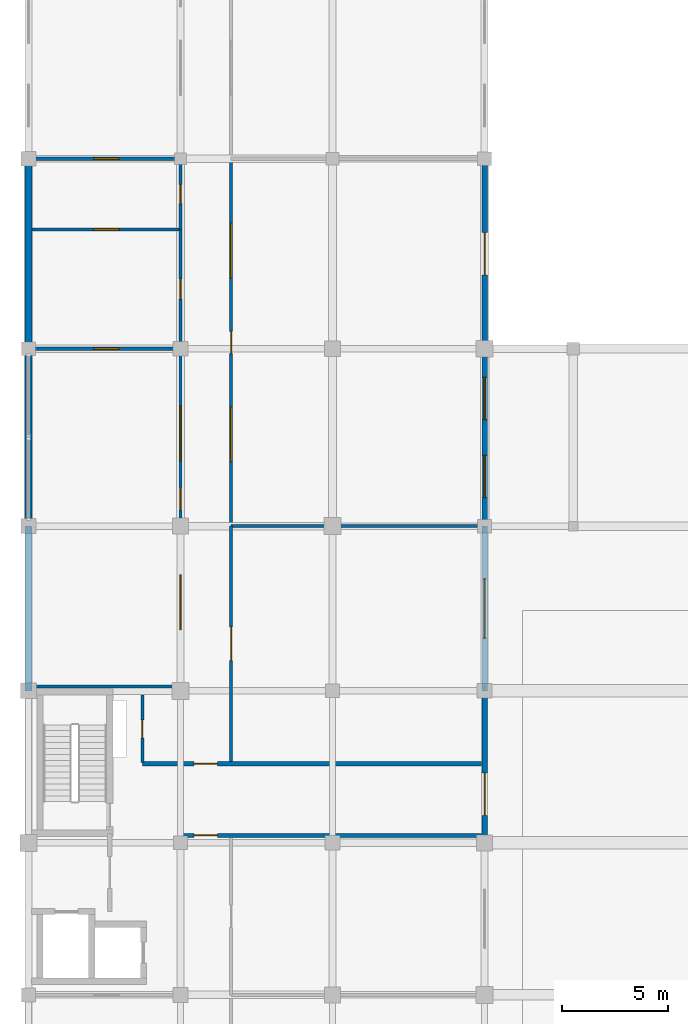
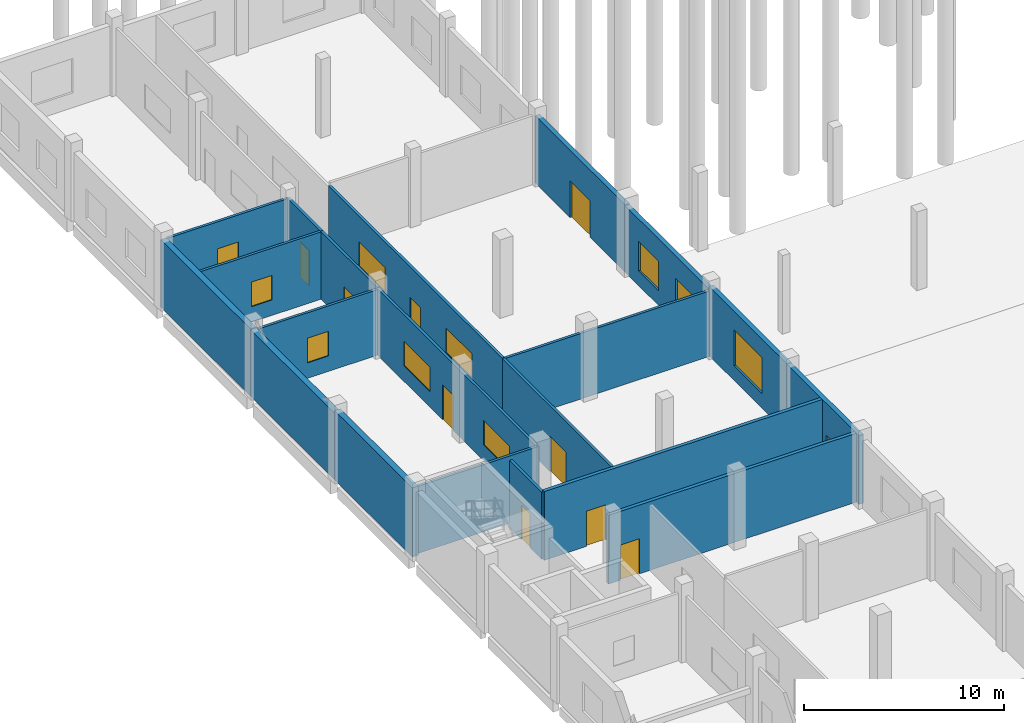
# One storey, part 71 of 91: 20 walls, 10 doors, 10 windows, 20 openings.
"""IFC4 building model written with IfcOpenShell, lengths in metres."""

from ifc_helpers import new_model, si_unit, direction, frame, frame_2d, origin, place, context, subcontext, project, spatial, rectangle, extrude, material, layer, layer_set, type_object, element, fill, save


model = new_model("IFC4")

# Units and contexts
model_context = context("Model", 3, precision=1e-05, world=origin(), true_north=direction((0.0, 1.0)))
body_context = subcontext(model_context, "Body", "Model", "MODEL_VIEW")
ifc_project = project(units=[si_unit("LENGTHUNIT", "METRE"), si_unit("AREAUNIT", "SQUARE_METRE"), si_unit("VOLUMEUNIT", "CUBIC_METRE"), si_unit("PLANEANGLEUNIT", "RADIAN"), si_unit("MASSUNIT", "GRAM", prefix="KILO")], contexts=[model_context])

# Site, building, storey
site_placement = place(None, origin())
site = spatial("IfcSite", under=ifc_project, at=site_placement, CompositionType="ELEMENT")
building_placement = place(site_placement, origin())
building = spatial("IfcBuilding", under=site, at=building_placement, Name="Vinh Khe Railworks Police Headquarters", CompositionType="ELEMENT")
storey_placement = place(building_placement, origin())
storey = spatial("IfcBuildingStorey", under=building, at=storey_placement, Name="L00", CompositionType="ELEMENT", Elevation=0.0)

# Wall, opening, door
ifc_material_1 = material(Name="Clay brickwork", Category="masonry")
ifc_layer_1 = layer(ifc_material_1, 0.260009765625)
ifc_layer_set_1 = layer_set([ifc_layer_1], Name="Clay brickwork")
wall_type_1 = type_object("IfcWallType", Name="EW-BRK-260", PredefinedType="SOLIDWALL", material=ifc_layer_set_1)
wall_1_placement = place(storey_placement, frame((22.199951171875, 81.0, 0.0), z_axis=(0.0, 0.0, 1.0), x_axis=(0.0, 1.0, 0.0)))
wall_1 = element("IfcWall", 1, at=wall_1_placement, inside=storey, type_object=wall_type_1, Name="Exterior Brick Wall EW-L00-V5E-11", PredefinedType="SOLIDWALL", context=body_context, shape_type="SweptSolid", body=[
    extrude(rectangle(XDim=7.199951171875, YDim=0.260009765625, at=frame_2d((3.60009765625, 0.0))), origin(), (0.0, 0.0, 1.0), 4.205078125),
])
opening_1_placement = place(wall_1_placement, frame((1.300048828125, 0.0, 0.0)))
opening_1 = element("IfcOpeningElement", 2, at=opening_1_placement, cuts=wall_1, Name="Opening ED-01", PredefinedType="OPENING", context=body_context, shape_type="SweptSolid", body=[
    extrude(rectangle(XDim=2.0, YDim=2.25, at=frame_2d((1.0, 1.125))), frame((0.0, 0.14501953125, 0.0), z_axis=(0.0, -1.0, 0.0), x_axis=(1.0, 0.0, 0.0)), (0.0, 0.0, 1.0), 0.289794921875),
])
ifc_material_2 = material(Name="Dark anodised aluminium and laminated safety glass", Category="aluminium")
door_type_1 = type_object("IfcDoorType", Name="ED-EXIT-2000", OperationType="DOUBLE_DOOR_SINGLE_SWING", PredefinedType="DOOR", material=ifc_material_2)
door_1_placement = place(opening_1_placement, frame((2.0, 0.0, 0.0), z_axis=(0.0, 0.0, 1.0), x_axis=(-1.0, 0.0, 0.0)))
door_1 = element("IfcDoor", 3, at=door_1_placement, inside=storey, type_object=door_type_1, Name="Core C2 Courtyard Final Exit Door", OperationType="DOUBLE_DOOR_SINGLE_SWING", OverallHeight=2.25, OverallWidth=2.0, PredefinedType="DOOR", context=body_context, shape_type="SweptSolid", body=[
    extrude(rectangle(XDim=2.0, YDim=2.25, at=frame_2d((1.0, 1.125))), frame((0.0, 0.02490234375, 0.0), z_axis=(0.0, -1.0, 0.0), x_axis=(1.0, 0.0, 0.0)), (0.0, 0.0, 1.0), 0.050048828125),
])
fill(opening_1, door_1)

# Wall, opening, window
wall_2_placement = place(storey_placement, frame((22.199951171875, 88.199951171875, 0.0), z_axis=(0.0, 0.0, 1.0), x_axis=(0.0, 1.0, 0.0)))
wall_2 = element("IfcWall", 4, at=wall_2_placement, inside=storey, type_object=wall_type_1, Name="Exterior Brick Wall EW-L00-V5E-12", PredefinedType="SOLIDWALL", context=body_context, shape_type="SweptSolid", body=[
    extrude(rectangle(XDim=7.800048828125, YDim=0.260009765625, at=frame_2d((3.89990234375, 0.0))), origin(), (0.0, 0.0, 1.0), 4.22509765625),
])
opening_2_placement = place(wall_2_placement, frame((2.5, 0.0, 0.89990234375)))
opening_2 = element("IfcOpeningElement", 5, at=opening_2_placement, cuts=wall_2, Name="Opening WN-01", PredefinedType="OPENING", context=body_context, shape_type="SweptSolid", body=[
    extrude(rectangle(XDim=2.800048828125, YDim=2.199951171875, at=frame_2d((1.39990234375, 1.10009765625))), frame((0.0, 0.14501953125, 0.0), z_axis=(0.0, -1.0, 0.0), x_axis=(1.0, 0.0, 0.0)), (0.0, 0.0, 1.0), 0.289794921875),
])
ifc_material_3 = material(Name="Double-glazed solar-control glass in dark steel frame", Category="steel")
window_type_1 = type_object("IfcWindowType", Name="WIN-WN-01", PartitioningType="DOUBLE_PANEL_VERTICAL", PredefinedType="WINDOW", material=ifc_material_3)
window_1_placement = place(opening_2_placement, origin())
window_1 = element("IfcWindow", 6, at=window_1_placement, inside=storey, type_object=window_type_1, Name="Casement Window WN-01", OverallHeight=2.199951171875, OverallWidth=2.800048828125, PartitioningType="SINGLE_PANEL", PredefinedType="WINDOW", context=body_context, shape_type="SweptSolid", body=[
    extrude(rectangle(XDim=2.800048828125, YDim=2.199951171875, at=frame_2d((1.39990234375, 1.10009765625))), frame((0.0, 0.030029296875, 0.0), z_axis=(0.0, -1.0, 0.0), x_axis=(1.0, 0.0, 0.0)), (0.0, 0.0, 1.0), 0.06005859375),
])
fill(opening_2, window_1)

# Wall, openings, windows
wall_3_placement = place(storey_placement, frame((22.199951171875, 96.0, 0.0), z_axis=(0.0, 0.0, 1.0), x_axis=(0.0, 1.0, 0.0)))
wall_3 = element("IfcWall", 7, at=wall_3_placement, inside=storey, type_object=wall_type_1, Name="Exterior Brick Wall EW-L00-V5E-13", PredefinedType="SOLIDWALL", context=body_context, shape_type="SweptSolid", body=[
    extrude(rectangle(XDim=8.39990234375, YDim=0.260009765625, at=frame_2d((4.199951171875, 0.0))), origin(), (0.0, 0.0, 1.0), 4.06494140625),
])
opening_3_placement = place(wall_3_placement, frame((1.35205078125, 0.0, 0.89990234375)))
opening_3 = element("IfcOpeningElement", 8, at=opening_3_placement, cuts=wall_3, Name="Opening WN-04", PredefinedType="OPENING", context=body_context, shape_type="SweptSolid", body=[
    extrude(rectangle(XDim=2.0, YDim=1.800048828125, at=frame_2d((1.0, 0.89990234375))), frame((0.0, 0.14501953125, 0.0), z_axis=(0.0, -1.0, 0.0), x_axis=(1.0, 0.0, 0.0)), (0.0, 0.0, 1.0), 0.289794921875),
])
opening_4_placement = place(wall_3_placement, frame((5.048095703125, 0.0, 0.89990234375)))
opening_4 = element("IfcOpeningElement", 9, at=opening_4_placement, cuts=wall_3, Name="Opening WN-04", PredefinedType="OPENING", context=body_context, shape_type="SweptSolid", body=[
    extrude(rectangle(XDim=2.0, YDim=1.800048828125, at=frame_2d((1.0, 0.89990234375))), frame((0.0, 0.14501953125, 0.0), z_axis=(0.0, -1.0, 0.0), x_axis=(1.0, 0.0, 0.0)), (0.0, 0.0, 1.0), 0.289794921875),
])
window_type_2 = type_object("IfcWindowType", Name="WIN-WN-04", PartitioningType="DOUBLE_PANEL_VERTICAL", PredefinedType="WINDOW", material=ifc_material_3)
window_2_placement = place(opening_3_placement, origin())
window_2 = element("IfcWindow", 10, at=window_2_placement, inside=storey, type_object=window_type_2, Name="Casement Window WN-04", OverallHeight=1.800048828125, OverallWidth=2.0, PartitioningType="SINGLE_PANEL", PredefinedType="WINDOW", context=body_context, shape_type="SweptSolid", body=[
    extrude(rectangle(XDim=2.0, YDim=1.800048828125, at=frame_2d((1.0, 0.89990234375))), frame((0.0, 0.030029296875, 0.0), z_axis=(0.0, -1.0, 0.0), x_axis=(1.0, 0.0, 0.0)), (0.0, 0.0, 1.0), 0.06005859375),
])
fill(opening_3, window_2)
window_3_placement = place(opening_4_placement, origin())
window_3 = element("IfcWindow", 11, at=window_3_placement, inside=storey, type_object=window_type_2, Name="Casement Window WN-04", OverallHeight=1.800048828125, OverallWidth=2.0, PartitioningType="SINGLE_PANEL", PredefinedType="WINDOW", context=body_context, shape_type="SweptSolid", body=[
    extrude(rectangle(XDim=2.0, YDim=1.800048828125, at=frame_2d((1.0, 0.89990234375))), frame((0.0, 0.030029296875, 0.0), z_axis=(0.0, -1.0, 0.0), x_axis=(1.0, 0.0, 0.0)), (0.0, 0.0, 1.0), 0.06005859375),
])
fill(opening_4, window_3)

# Wall, opening, door
wall_4_placement = place(storey_placement, frame((22.199951171875, 104.39990234375, 0.0), z_axis=(0.0, 0.0, 1.0), x_axis=(0.0, 1.0, 0.0)))
wall_4 = element("IfcWall", 12, at=wall_4_placement, inside=storey, type_object=wall_type_1, Name="Exterior Brick Wall EW-L00-V5E-14", PredefinedType="SOLIDWALL", context=body_context, shape_type="SweptSolid", body=[
    extrude(rectangle(XDim=9.0, YDim=0.260009765625, at=frame_2d((4.5, 0.0))), origin(), (0.0, 0.0, 1.0), 4.114990234375),
])
opening_5_placement = place(wall_4_placement, frame((3.5, 0.0, 0.0)))
opening_5 = element("IfcOpeningElement", 13, at=opening_5_placement, cuts=wall_4, Name="Opening ED-01", PredefinedType="OPENING", context=body_context, shape_type="SweptSolid", body=[
    extrude(rectangle(XDim=2.0, YDim=2.25, at=frame_2d((1.0, 1.125))), frame((0.0, 0.14501953125, 0.0), z_axis=(0.0, -1.0, 0.0), x_axis=(1.0, 0.0, 0.0)), (0.0, 0.0, 1.0), 0.289794921875),
])
door_2_placement = place(opening_5_placement, frame((2.0, 0.0, 0.0), z_axis=(0.0, 0.0, 1.0), x_axis=(-1.0, 0.0, 0.0)))
door_2 = element("IfcDoor", 14, at=door_2_placement, inside=storey, type_object=door_type_1, Name="North Operations Court Exit Door", OperationType="DOUBLE_DOOR_SINGLE_SWING", OverallHeight=2.25, OverallWidth=2.0, PredefinedType="DOOR", context=body_context, shape_type="SweptSolid", body=[
    extrude(rectangle(XDim=2.0, YDim=2.25, at=frame_2d((1.0, 1.125))), frame((0.0, 0.02490234375, 0.0), z_axis=(0.0, -1.0, 0.0), x_axis=(1.0, 0.0, 0.0)), (0.0, 0.0, 1.0), 0.050048828125),
])
fill(opening_5, door_2)

# Walls
ifc_layer_2 = layer(ifc_material_1, 0.340087890625)
ifc_layer_set_2 = layer_set([ifc_layer_2], Name="Clay brickwork")
wall_type_2 = type_object("IfcWallType", Name="EW-BRK-340", PredefinedType="SOLIDWALL", material=ifc_layer_set_2)
wall_5_placement = place(storey_placement, frame((0.60009765625, 88.199951171875, 0.0), z_axis=(0.0, 0.0, 1.0), x_axis=(0.0, 1.0, 0.0)))
element("IfcWall", 15, at=wall_5_placement, inside=storey, type_object=wall_type_2, Name="Exterior Brick Wall EW-L00-V5W-12", PredefinedType="SOLIDWALL", context=body_context, shape_type="SweptSolid", body=[
    extrude(rectangle(XDim=7.800048828125, YDim=0.340087890625, at=frame_2d((3.89990234375, 0.0))), origin(), (0.0, 0.0, 1.0), 4.22509765625),
])
wall_6_placement = place(storey_placement, frame((0.60009765625, 96.0, 0.0), z_axis=(0.0, 0.0, 1.0), x_axis=(0.0, 1.0, 0.0)))
element("IfcWall", 16, at=wall_6_placement, inside=storey, type_object=wall_type_2, Name="Exterior Brick Wall EW-L00-V5W-13", PredefinedType="SOLIDWALL", context=body_context, shape_type="SweptSolid", body=[
    extrude(rectangle(XDim=8.39990234375, YDim=0.340087890625, at=frame_2d((4.199951171875, 0.0))), origin(), (0.0, 0.0, 1.0), 4.06494140625),
])
wall_7_placement = place(storey_placement, frame((0.60009765625, 104.39990234375, 0.0), z_axis=(0.0, 0.0, 1.0), x_axis=(0.0, 1.0, 0.0)))
element("IfcWall", 17, at=wall_7_placement, inside=storey, type_object=wall_type_2, Name="Exterior Brick Wall EW-L00-V5W-14", PredefinedType="SOLIDWALL", context=body_context, shape_type="SweptSolid", body=[
    extrude(rectangle(XDim=9.0, YDim=0.340087890625, at=frame_2d((4.5, 0.0))), origin(), (0.0, 0.0, 1.0), 4.114990234375),
])

# Wall, opening, door
ifc_material_4 = material(Name="Autoclaved aerated concrete blockwork", Category="masonry")
ifc_layer_3 = layer(ifc_material_4, 0.199951171875)
ifc_layer_set_3 = layer_set([ifc_layer_3], Name="Autoclaved aerated concrete blockwork")
wall_type_3 = type_object("IfcWallType", Name="IW-BLK-200", PredefinedType="PARTITIONING", material=ifc_layer_set_3)
wall_8_placement = place(storey_placement, frame((7.75, 81.35009765625, 0.0), z_axis=(0.0, 0.0, 1.0), x_axis=(1.0, 0.0, 0.0)))
wall_8 = element("IfcWall", 18, at=wall_8_placement, inside=storey, type_object=wall_type_3, Name="Interior Partition W-STL-C2-S-L00", PredefinedType="PARTITIONING", context=body_context, shape_type="SweptSolid", body=[
    extrude(rectangle(XDim=14.31005859375, YDim=0.199951171875, at=frame_2d((7.155029296875, 0.0))), origin(), (0.0, 0.0, 1.0), 4.205078125),
])
opening_6_placement = place(wall_8_placement, frame((0.699951171875, 0.0, 0.0)))
opening_6 = element("IfcOpeningElement", 19, at=opening_6_placement, cuts=wall_8, Name="Opening FD-01", PredefinedType="OPENING", context=body_context, shape_type="SweptSolid", body=[
    extrude(rectangle(XDim=1.10009765625, YDim=2.14990234375, at=frame_2d((0.550048828125, 1.074951171875))), frame((0.0, 0.11474609375, 0.0), z_axis=(0.0, -1.0, 0.0), x_axis=(1.0, 0.0, 0.0)), (0.0, 0.0, 1.0), 0.229736328125),
])
ifc_material_5 = material(Name="Painted galvanised steel", Category="steel")
door_type_2 = type_object("IfcDoorType", Name="FD-1100x2150", OperationType="NOTDEFINED", PredefinedType="DOOR", material=ifc_material_5)
door_3_placement = place(opening_6_placement, origin())
door_3 = element("IfcDoor", 20, at=door_3_placement, inside=storey, type_object=door_type_2, Name="Stair Passage C2 South Fire Door", OperationType="SINGLE_SWING_RIGHT", OverallHeight=2.14990234375, OverallWidth=1.10009765625, PredefinedType="DOOR", context=body_context, shape_type="SweptSolid", body=[
    extrude(rectangle(XDim=1.10009765625, YDim=2.14990234375, at=frame_2d((0.550048828125, 1.074951171875))), frame((0.0, 0.02490234375, 0.0), z_axis=(0.0, -1.0, 0.0), x_axis=(1.0, 0.0, 0.0)), (0.0, 0.0, 1.0), 0.050048828125),
])
fill(opening_6, door_3)

wall_9_placement = place(storey_placement, frame((6.0, 84.75, 0.0), z_axis=(0.0, 0.0, 1.0), x_axis=(1.0, 0.0, 0.0)))
wall_9 = element("IfcWall", 21, at=wall_9_placement, inside=storey, type_object=wall_type_3, Name="Interior Partition W-STL-C2-N-L00", PredefinedType="PARTITIONING", context=body_context, shape_type="SweptSolid", body=[
    extrude(rectangle(XDim=16.06005859375, YDim=0.199951171875, at=frame_2d((8.030029296875, 0.0))), origin(), (0.0, 0.0, 1.0), 4.205078125),
])
opening_7_placement = place(wall_9_placement, frame((2.449951171875, 0.0, 0.0)))
opening_7 = element("IfcOpeningElement", 22, at=opening_7_placement, cuts=wall_9, Name="Opening FD-01", PredefinedType="OPENING", context=body_context, shape_type="SweptSolid", body=[
    extrude(rectangle(XDim=1.10009765625, YDim=2.14990234375, at=frame_2d((0.550048828125, 1.074951171875))), frame((0.0, 0.11474609375, 0.0), z_axis=(0.0, -1.0, 0.0), x_axis=(1.0, 0.0, 0.0)), (0.0, 0.0, 1.0), 0.229736328125),
])
door_4_placement = place(opening_7_placement, origin())
door_4 = element("IfcDoor", 23, at=door_4_placement, inside=storey, type_object=door_type_2, Name="Stair Passage C2 North Fire Door", OperationType="SINGLE_SWING_LEFT", OverallHeight=2.14990234375, OverallWidth=1.10009765625, PredefinedType="DOOR", context=body_context, shape_type="SweptSolid", body=[
    extrude(rectangle(XDim=1.10009765625, YDim=2.14990234375, at=frame_2d((0.550048828125, 1.074951171875))), frame((0.0, 0.02490234375, 0.0), z_axis=(0.0, -1.0, 0.0), x_axis=(1.0, 0.0, 0.0)), (0.0, 0.0, 1.0), 0.050048828125),
])
fill(opening_7, door_4)

# Wall
ifc_material_6 = material(Name="Gypsum plasterboard on steel stud", Category="steel")
ifc_layer_4 = layer(ifc_material_6, 0.1201171875)
ifc_layer_set_4 = layer_set([ifc_layer_4], Name="Gypsum plasterboard on steel stud")
wall_type_4 = type_object("IfcWallType", Name="IW-PART-120", PredefinedType="PARTITIONING", material=ifc_layer_set_4)
wall_10_placement = place(storey_placement, frame((0.780029296875, 88.39990234375, 0.0), z_axis=(0.0, 0.0, 1.0), x_axis=(1.0, 0.0, 0.0)))
element("IfcWall", 24, at=wall_10_placement, inside=storey, type_object=wall_type_4, Name="Interior Partition W-L00-V5-BIKE-DIV", PredefinedType="PARTITIONING", context=body_context, shape_type="SweptSolid", body=[
    extrude(rectangle(XDim=7.02001953125, YDim=0.14990234375, at=frame_2d((3.510009765625, 0.0))), origin(), (0.0, 0.0, 1.0), 4.10498046875),
])

# Wall, opening, window
wall_11_placement = place(storey_placement, frame((0.780029296875, 110.0419921875, 0.0), z_axis=(0.0, 0.0, 1.0), x_axis=(1.0, 0.0, 0.0)))
wall_11 = element("IfcWall", 25, at=wall_11_placement, inside=storey, type_object=wall_type_4, Name="Interior Partition W-L00-V5-WCSS-DIV", PredefinedType="PARTITIONING", context=body_context, shape_type="SweptSolid", body=[
    extrude(rectangle(XDim=7.02001953125, YDim=0.14990234375, at=frame_2d((3.510009765625, 0.0))), origin(), (0.0, 0.0, 1.0), 4.114990234375),
])
opening_8_placement = place(wall_11_placement, frame((2.909912109375, 0.0, 0.949951171875)))
opening_8 = element("IfcOpeningElement", 26, at=opening_8_placement, cuts=wall_11, Name="Opening WN-10", PredefinedType="OPENING", context=body_context, shape_type="SweptSolid", body=[
    extrude(rectangle(XDim=1.199951171875, YDim=1.5, at=frame_2d((0.60009765625, 0.75))), frame((0.0, 0.08984375, 0.0), z_axis=(0.0, -1.0, 0.0), x_axis=(1.0, 0.0, 0.0)), (0.0, 0.0, 1.0), 0.1796875),
])
window_type_3 = type_object("IfcWindowType", Name="WIN-WN-10", PartitioningType="SINGLE_PANEL", PredefinedType="WINDOW", material=ifc_material_3)
window_4_placement = place(opening_8_placement, origin())
window_4 = element("IfcWindow", 27, at=window_4_placement, inside=storey, type_object=window_type_3, Name="Interior Acoustic Vision Window WN-10", OverallHeight=1.5, OverallWidth=1.199951171875, PartitioningType="SINGLE_PANEL", PredefinedType="WINDOW", context=body_context, shape_type="SweptSolid", body=[
    extrude(rectangle(XDim=1.199951171875, YDim=1.5, at=frame_2d((0.60009765625, 0.75))), frame((0.0, 0.030029296875, 0.0), z_axis=(0.0, -1.0, 0.0), x_axis=(1.0, 0.0, 0.0)), (0.0, 0.0, 1.0), 0.06005859375),
])
fill(opening_8, window_4)

wall_12_placement = place(storey_placement, frame((0.780029296875, 104.39990234375, 0.0), z_axis=(0.0, 0.0, 1.0), x_axis=(1.0, 0.0, 0.0)))
wall_12 = element("IfcWall", 28, at=wall_12_placement, inside=storey, type_object=wall_type_4, Name="Interior Partition W-L00-V5-WCS-DIV", PredefinedType="PARTITIONING", context=body_context, shape_type="SweptSolid", body=[
    extrude(rectangle(XDim=7.02001953125, YDim=0.14990234375, at=frame_2d((3.510009765625, 0.0))), origin(), (0.0, 0.0, 1.0), 4.0048828125),
])
opening_9_placement = place(wall_12_placement, frame((2.909912109375, 0.0, 0.949951171875)))
opening_9 = element("IfcOpeningElement", 29, at=opening_9_placement, cuts=wall_12, Name="Opening WN-10", PredefinedType="OPENING", context=body_context, shape_type="SweptSolid", body=[
    extrude(rectangle(XDim=1.199951171875, YDim=1.5, at=frame_2d((0.60009765625, 0.75))), frame((0.0, 0.08984375, 0.0), z_axis=(0.0, -1.0, 0.0), x_axis=(1.0, 0.0, 0.0)), (0.0, 0.0, 1.0), 0.1796875),
])
window_5_placement = place(opening_9_placement, origin())
window_5 = element("IfcWindow", 30, at=window_5_placement, inside=storey, type_object=window_type_3, Name="Interior Acoustic Vision Window WN-10", OverallHeight=1.5, OverallWidth=1.199951171875, PartitioningType="SINGLE_PANEL", PredefinedType="WINDOW", context=body_context, shape_type="SweptSolid", body=[
    extrude(rectangle(XDim=1.199951171875, YDim=1.5, at=frame_2d((0.60009765625, 0.75))), frame((0.0, 0.030029296875, 0.0), z_axis=(0.0, -1.0, 0.0), x_axis=(1.0, 0.0, 0.0)), (0.0, 0.0, 1.0), 0.06005859375),
])
fill(opening_9, window_5)

wall_13_placement = place(storey_placement, frame((0.780029296875, 113.39990234375, 0.0), z_axis=(0.0, 0.0, 1.0), x_axis=(1.0, 0.0, 0.0)))
wall_13 = element("IfcWall", 31, at=wall_13_placement, inside=storey, type_object=wall_type_4, Name="Interior Partition W-L00-V5-MED0-DIV", PredefinedType="PARTITIONING", context=body_context, shape_type="SweptSolid", body=[
    extrude(rectangle(XDim=7.02001953125, YDim=0.14990234375, at=frame_2d((3.510009765625, 0.0))), origin(), (0.0, 0.0, 1.0), 4.10498046875),
])
opening_10_placement = place(wall_13_placement, frame((2.909912109375, 0.0, 0.949951171875)))
opening_10 = element("IfcOpeningElement", 32, at=opening_10_placement, cuts=wall_13, Name="Opening WN-10", PredefinedType="OPENING", context=body_context, shape_type="SweptSolid", body=[
    extrude(rectangle(XDim=1.199951171875, YDim=1.5, at=frame_2d((0.60009765625, 0.75))), frame((0.0, 0.08984375, 0.0), z_axis=(0.0, -1.0, 0.0), x_axis=(1.0, 0.0, 0.0)), (0.0, 0.0, 1.0), 0.1796875),
])
window_6_placement = place(opening_10_placement, origin())
window_6 = element("IfcWindow", 33, at=window_6_placement, inside=storey, type_object=window_type_3, Name="Interior Acoustic Vision Window WN-10", OverallHeight=1.5, OverallWidth=1.199951171875, PartitioningType="SINGLE_PANEL", PredefinedType="WINDOW", context=body_context, shape_type="SweptSolid", body=[
    extrude(rectangle(XDim=1.199951171875, YDim=1.5, at=frame_2d((0.60009765625, 0.75))), frame((0.0, 0.030029296875, 0.0), z_axis=(0.0, -1.0, 0.0), x_axis=(1.0, 0.0, 0.0)), (0.0, 0.0, 1.0), 0.06005859375),
])
fill(opening_10, window_6)

# Wall
wall_14_placement = place(storey_placement, frame((10.199951171875, 96.0, 0.0), z_axis=(0.0, 0.0, 1.0), x_axis=(1.0, 0.0, 0.0)))
element("IfcWall", 34, at=wall_14_placement, inside=storey, type_object=wall_type_4, Name="Interior Partition W-L00-V5-DISP0-DIV", PredefinedType="PARTITIONING", context=body_context, shape_type="SweptSolid", body=[
    extrude(rectangle(XDim=11.860107421875, YDim=0.14990234375, at=frame_2d((5.93017578125, 0.0))), origin(), (0.0, 0.0, 1.0), 4.0048828125),
])

# Wall, opening, door
ifc_material_7 = material(Name="Gypsum plasterboard on acoustic steel stud", Category="steel")
ifc_layer_5 = layer(ifc_material_7, 0.14990234375)
ifc_layer_set_5 = layer_set([ifc_layer_5], Name="Gypsum plasterboard on acoustic steel stud")
wall_type_5 = type_object("IfcWallType", Name="IW-PART-150", PredefinedType="PARTITIONING", material=ifc_layer_set_5)
wall_15_placement = place(storey_placement, frame((6.0, 84.800048828125, 0.0), z_axis=(0.0, 0.0, 1.0), x_axis=(0.0, 1.0, 0.0)))
wall_15 = element("IfcWall", 35, at=wall_15_placement, inside=storey, type_object=wall_type_5, Name="Interior Partition W-RSR-C2-E-L00", PredefinedType="PARTITIONING", context=body_context, shape_type="SweptSolid", body=[
    extrude(rectangle(XDim=3.199951171875, YDim=0.14990234375, at=frame_2d((1.60009765625, 0.0))), origin(), (0.0, 0.0, 1.0), 4.10498046875),
])
opening_11_placement = place(wall_15_placement, frame((1.175048828125, 0.0, 0.0)))
opening_11 = element("IfcOpeningElement", 36, at=opening_11_placement, cuts=wall_15, Name="Opening FD-04", PredefinedType="OPENING", context=body_context, shape_type="SweptSolid", body=[
    extrude(rectangle(XDim=0.85009765625, YDim=2.10009765625, at=frame_2d((0.425048828125, 1.050048828125))), frame((0.0, 0.08984375, 0.0), z_axis=(0.0, -1.0, 0.0), x_axis=(1.0, 0.0, 0.0)), (0.0, 0.0, 1.0), 0.1796875),
])
door_type_3 = type_object("IfcDoorType", Name="FD-850x2100", OperationType="NOTDEFINED", PredefinedType="DOOR", material=ifc_material_5)
door_5_placement = place(opening_11_placement, origin())
door_5 = element("IfcDoor", 37, at=door_5_placement, inside=storey, type_object=door_type_3, Name="Wet Riser Access Door", OperationType="SINGLE_SWING_LEFT", OverallHeight=2.10009765625, OverallWidth=0.85009765625, PredefinedType="DOOR", context=body_context, shape_type="SweptSolid", body=[
    extrude(rectangle(XDim=0.85009765625, YDim=2.10009765625, at=frame_2d((0.425048828125, 1.050048828125))), frame((0.0, 0.02490234375, 0.0), z_axis=(0.0, -1.0, 0.0), x_axis=(1.0, 0.0, 0.0)), (0.0, 0.0, 1.0), 0.050048828125),
])
fill(opening_11, door_5)

# Wall, openings, door, windows
wall_16_placement = place(storey_placement, frame((7.800048828125, 88.39990234375, 0.0), z_axis=(0.0, 0.0, 1.0), x_axis=(0.0, 1.0, 0.0)))
wall_16 = element("IfcWall", 38, at=wall_16_placement, inside=storey, type_object=wall_type_5, Name="Interior Partition W-L00-V5-BIKE-CW", PredefinedType="PARTITIONING", context=body_context, shape_type="SweptSolid", body=[
    extrude(rectangle(XDim=16.0, YDim=0.14990234375, at=frame_2d((8.0, 0.0))), origin(), (0.0, 0.0, 1.0), 4.06494140625),
])
opening_12_placement = place(wall_16_placement, frame((8.375, 0.0, 0.0)))
opening_12 = element("IfcOpeningElement", 39, at=opening_12_placement, cuts=wall_16, Name="Opening D-02", PredefinedType="OPENING", context=body_context, shape_type="SweptSolid", body=[
    extrude(rectangle(XDim=1.050048828125, YDim=2.14990234375, at=frame_2d((0.52490234375, 1.074951171875))), frame((0.0, 0.08984375, 0.0), z_axis=(0.0, -1.0, 0.0), x_axis=(1.0, 0.0, 0.0)), (0.0, 0.0, 1.0), 0.1796875),
])
opening_13_placement = place(wall_16_placement, frame((2.699951171875, 0.0, 0.949951171875)))
opening_13 = element("IfcOpeningElement", 40, at=opening_13_placement, cuts=wall_16, Name="Opening WN-07", PredefinedType="OPENING", context=body_context, shape_type="SweptSolid", body=[
    extrude(rectangle(XDim=2.60009765625, YDim=1.5, at=frame_2d((1.300048828125, 0.75))), frame((0.0, 0.08984375, 0.0), z_axis=(0.0, -1.0, 0.0), x_axis=(1.0, 0.0, 0.0)), (0.0, 0.0, 1.0), 0.1796875),
])
opening_14_placement = place(wall_16_placement, frame((10.699951171875, 0.0, 0.949951171875)))
opening_14 = element("IfcOpeningElement", 41, at=opening_14_placement, cuts=wall_16, Name="Opening WN-07", PredefinedType="OPENING", context=body_context, shape_type="SweptSolid", body=[
    extrude(rectangle(XDim=2.60009765625, YDim=1.5, at=frame_2d((1.300048828125, 0.75))), frame((0.0, 0.08984375, 0.0), z_axis=(0.0, -1.0, 0.0), x_axis=(1.0, 0.0, 0.0)), (0.0, 0.0, 1.0), 0.1796875),
])
ifc_material_8 = material(Name="Seasoned hardwood timber", Category="wood")
door_type_4 = type_object("IfcDoorType", Name="ID-1050x2150", OperationType="NOTDEFINED", PredefinedType="DOOR", material=ifc_material_8)
door_6_placement = place(opening_12_placement, origin())
door_6 = element("IfcDoor", 42, at=door_6_placement, inside=storey, type_object=door_type_4, Name="Patrol Equipment Store Door", OperationType="SINGLE_SWING_LEFT", OverallHeight=2.14990234375, OverallWidth=1.050048828125, PredefinedType="DOOR", context=body_context, shape_type="SweptSolid", body=[
    extrude(rectangle(XDim=1.050048828125, YDim=2.14990234375, at=frame_2d((0.52490234375, 1.074951171875))), frame((0.0, 0.02490234375, 0.0), z_axis=(0.0, -1.0, 0.0), x_axis=(1.0, 0.0, 0.0)), (0.0, 0.0, 1.0), 0.050048828125),
])
fill(opening_12, door_6)
window_type_4 = type_object("IfcWindowType", Name="WIN-WN-07", PartitioningType="DOUBLE_PANEL_HORIZONTAL", PredefinedType="WINDOW", material=ifc_material_3)
window_7_placement = place(opening_13_placement, origin())
window_7 = element("IfcWindow", 43, at=window_7_placement, inside=storey, type_object=window_type_4, Name="Interior Acoustic Vision Window WN-07", OverallHeight=1.5, OverallWidth=2.60009765625, PartitioningType="SINGLE_PANEL", PredefinedType="WINDOW", context=body_context, shape_type="SweptSolid", body=[
    extrude(rectangle(XDim=2.60009765625, YDim=1.5, at=frame_2d((1.300048828125, 0.75))), frame((0.0, 0.030029296875, 0.0), z_axis=(0.0, -1.0, 0.0), x_axis=(1.0, 0.0, 0.0)), (0.0, 0.0, 1.0), 0.06005859375),
])
fill(opening_13, window_7)
window_8_placement = place(opening_14_placement, origin())
window_8 = element("IfcWindow", 44, at=window_8_placement, inside=storey, type_object=window_type_4, Name="Interior Acoustic Vision Window WN-07", OverallHeight=1.5, OverallWidth=2.60009765625, PartitioningType="SINGLE_PANEL", PredefinedType="WINDOW", context=body_context, shape_type="SweptSolid", body=[
    extrude(rectangle(XDim=2.60009765625, YDim=1.5, at=frame_2d((1.300048828125, 0.75))), frame((0.0, 0.030029296875, 0.0), z_axis=(0.0, -1.0, 0.0), x_axis=(1.0, 0.0, 0.0)), (0.0, 0.0, 1.0), 0.06005859375),
])
fill(opening_14, window_8)

# Wall, opening, door
wall_17_placement = place(storey_placement, frame((7.800048828125, 104.39990234375, 0.0), z_axis=(0.0, 0.0, 1.0), x_axis=(0.0, 1.0, 0.0)))
wall_17 = element("IfcWall", 45, at=wall_17_placement, inside=storey, type_object=wall_type_5, Name="Interior Partition W-L00-V5-WCSS-CW", PredefinedType="PARTITIONING", context=body_context, shape_type="SweptSolid", body=[
    extrude(rectangle(XDim=5.64208984375, YDim=0.14990234375, at=frame_2d((2.821044921875, 0.0))), origin(), (0.0, 0.0, 1.0), 4.114990234375),
])
opening_15_placement = place(wall_17_placement, frame((2.345947265625, 0.0, 0.0)))
opening_15 = element("IfcOpeningElement", 46, at=opening_15_placement, cuts=wall_17, Name="Opening D-01", PredefinedType="OPENING", context=body_context, shape_type="SweptSolid", body=[
    extrude(rectangle(XDim=0.949951171875, YDim=2.14990234375, at=frame_2d((0.47509765625, 1.074951171875))), frame((0.0, 0.08984375, 0.0), z_axis=(0.0, -1.0, 0.0), x_axis=(1.0, 0.0, 0.0)), (0.0, 0.0, 1.0), 0.1796875),
])
door_type_5 = type_object("IfcDoorType", Name="ID-950x2150", OperationType="NOTDEFINED", PredefinedType="DOOR", material=ifc_material_8)
door_7_placement = place(opening_15_placement, origin())
door_7 = element("IfcDoor", 47, at=door_7_placement, inside=storey, type_object=door_type_5, Name="Floor Supplies Store Door", OperationType="SINGLE_SWING_RIGHT", OverallHeight=2.14990234375, OverallWidth=0.949951171875, PredefinedType="DOOR", context=body_context, shape_type="SweptSolid", body=[
    extrude(rectangle(XDim=0.949951171875, YDim=2.14990234375, at=frame_2d((0.47509765625, 1.074951171875))), frame((0.0, 0.02490234375, 0.0), z_axis=(0.0, -1.0, 0.0), x_axis=(1.0, 0.0, 0.0)), (0.0, 0.0, 1.0), 0.050048828125),
])
fill(opening_15, door_7)

wall_18_placement = place(storey_placement, frame((7.800048828125, 110.0419921875, 0.0), z_axis=(0.0, 0.0, 1.0), x_axis=(0.0, 1.0, 0.0)))
wall_18 = element("IfcWall", 48, at=wall_18_placement, inside=storey, type_object=wall_type_5, Name="Interior Partition W-L00-V5-WCS-CW", PredefinedType="PARTITIONING", context=body_context, shape_type="SweptSolid", body=[
    extrude(rectangle(XDim=3.35791015625, YDim=0.14990234375, at=frame_2d((1.678955078125, 0.0))), origin(), (0.0, 0.0, 1.0), 4.114990234375),
])
opening_16_placement = place(wall_18_placement, frame((1.22900390625, 0.0, 0.0)))
opening_16 = element("IfcOpeningElement", 49, at=opening_16_placement, cuts=wall_18, Name="Opening D-04", PredefinedType="OPENING", context=body_context, shape_type="SweptSolid", body=[
    extrude(rectangle(XDim=0.89990234375, YDim=2.14990234375, at=frame_2d((0.449951171875, 1.074951171875))), frame((0.0, 0.08984375, 0.0), z_axis=(0.0, -1.0, 0.0), x_axis=(1.0, 0.0, 0.0)), (0.0, 0.0, 1.0), 0.1796875),
])
door_type_6 = type_object("IfcDoorType", Name="ID-900x2150", OperationType="NOTDEFINED", PredefinedType="DOOR", material=ifc_material_8)
door_8_placement = place(opening_16_placement, origin())
door_8 = element("IfcDoor", 50, at=door_8_placement, inside=storey, type_object=door_type_6, Name="Staff WC L00 West Door", OperationType="SINGLE_SWING_LEFT", OverallHeight=2.14990234375, OverallWidth=0.89990234375, PredefinedType="DOOR", context=body_context, shape_type="SweptSolid", body=[
    extrude(rectangle(XDim=0.89990234375, YDim=2.14990234375, at=frame_2d((0.449951171875, 1.074951171875))), frame((0.0, 0.02490234375, 0.0), z_axis=(0.0, -1.0, 0.0), x_axis=(1.0, 0.0, 0.0)), (0.0, 0.0, 1.0), 0.050048828125),
])
fill(opening_16, door_8)

wall_19_placement = place(storey_placement, frame((10.199951171875, 84.85009765625, 0.0), z_axis=(0.0, 0.0, 1.0), x_axis=(0.0, 1.0, 0.0)))
wall_19 = element("IfcWall", 51, at=wall_19_placement, inside=storey, type_object=wall_type_5, Name="Interior Partition W-L00-V5-PRESS0N-CE", PredefinedType="PARTITIONING", context=body_context, shape_type="SweptSolid", body=[
    extrude(rectangle(XDim=11.14990234375, YDim=0.14990234375, at=frame_2d((5.574951171875, 0.0))), origin(), (0.0, 0.0, 1.0), 4.0048828125),
])
opening_17_placement = place(wall_19_placement, frame((4.77490234375, 0.0, 0.0)))
opening_17 = element("IfcOpeningElement", 52, at=opening_17_placement, cuts=wall_19, Name="Opening D-03", PredefinedType="OPENING", context=body_context, shape_type="SweptSolid", body=[
    extrude(rectangle(XDim=1.60009765625, YDim=2.14990234375, at=frame_2d((0.800048828125, 1.074951171875))), frame((0.0, 0.08984375, 0.0), z_axis=(0.0, -1.0, 0.0), x_axis=(1.0, 0.0, 0.0)), (0.0, 0.0, 1.0), 0.1796875),
])
door_type_7 = type_object("IfcDoorType", Name="ID-1600x2150", OperationType="DOUBLE_DOOR_SINGLE_SWING", PredefinedType="DOOR", material=ifc_material_5)
door_9_placement = place(opening_17_placement, origin())
door_9 = element("IfcDoor", 53, at=door_9_placement, inside=storey, type_object=door_type_7, Name="Community Safety Seminar North Door", OperationType="DOUBLE_DOOR_SINGLE_SWING", OverallHeight=2.14990234375, OverallWidth=1.60009765625, PredefinedType="DOOR", context=body_context, shape_type="SweptSolid", body=[
    extrude(rectangle(XDim=1.60009765625, YDim=2.14990234375, at=frame_2d((0.800048828125, 1.074951171875))), frame((0.0, 0.02490234375, 0.0), z_axis=(0.0, -1.0, 0.0), x_axis=(1.0, 0.0, 0.0)), (0.0, 0.0, 1.0), 0.050048828125),
])
fill(opening_17, door_9)

# Wall, openings, door, windows
wall_20_placement = place(storey_placement, frame((10.199951171875, 96.0, 0.0), z_axis=(0.0, 0.0, 1.0), x_axis=(0.0, 1.0, 0.0)))
wall_20 = element("IfcWall", 54, at=wall_20_placement, inside=storey, type_object=wall_type_5, Name="Interior Partition W-L00-V5-DISP0-CE", PredefinedType="PARTITIONING", context=body_context, shape_type="SweptSolid", body=[
    extrude(rectangle(XDim=17.39990234375, YDim=0.14990234375, at=frame_2d((8.699951171875, 0.0))), origin(), (0.0, 0.0, 1.0), 4.0048828125),
])
opening_18_placement = place(wall_20_placement, frame((8.175048828125, 0.0, 0.0)))
opening_18 = element("IfcOpeningElement", 55, at=opening_18_placement, cuts=wall_20, Name="Opening D-02", PredefinedType="OPENING", context=body_context, shape_type="SweptSolid", body=[
    extrude(rectangle(XDim=1.050048828125, YDim=2.14990234375, at=frame_2d((0.52490234375, 1.074951171875))), frame((0.0, 0.08984375, 0.0), z_axis=(0.0, -1.0, 0.0), x_axis=(1.0, 0.0, 0.0)), (0.0, 0.0, 1.0), 0.1796875),
])
opening_19_placement = place(wall_20_placement, frame((3.050048828125, 0.0, 0.949951171875)))
opening_19 = element("IfcOpeningElement", 56, at=opening_19_placement, cuts=wall_20, Name="Opening WN-07", PredefinedType="OPENING", context=body_context, shape_type="SweptSolid", body=[
    extrude(rectangle(XDim=2.60009765625, YDim=1.5, at=frame_2d((1.300048828125, 0.75))), frame((0.0, 0.08984375, 0.0), z_axis=(0.0, -1.0, 0.0), x_axis=(1.0, 0.0, 0.0)), (0.0, 0.0, 1.0), 0.1796875),
])
opening_20_placement = place(wall_20_placement, frame((11.75, 0.0, 0.949951171875)))
opening_20 = element("IfcOpeningElement", 57, at=opening_20_placement, cuts=wall_20, Name="Opening WN-07", PredefinedType="OPENING", context=body_context, shape_type="SweptSolid", body=[
    extrude(rectangle(XDim=2.60009765625, YDim=1.5, at=frame_2d((1.300048828125, 0.75))), frame((0.0, 0.08984375, 0.0), z_axis=(0.0, -1.0, 0.0), x_axis=(1.0, 0.0, 0.0)), (0.0, 0.0, 1.0), 0.1796875),
])
door_10_placement = place(opening_18_placement, origin())
door_10 = element("IfcDoor", 58, at=door_10_placement, inside=storey, type_object=door_type_4, Name="Patrol Fleet Dispatch Office Door", OperationType="SINGLE_SWING_LEFT", OverallHeight=2.14990234375, OverallWidth=1.050048828125, PredefinedType="DOOR", context=body_context, shape_type="SweptSolid", body=[
    extrude(rectangle(XDim=1.050048828125, YDim=2.14990234375, at=frame_2d((0.52490234375, 1.074951171875))), frame((0.0, 0.02490234375, 0.0), z_axis=(0.0, -1.0, 0.0), x_axis=(1.0, 0.0, 0.0)), (0.0, 0.0, 1.0), 0.050048828125),
])
fill(opening_18, door_10)
window_9_placement = place(opening_19_placement, origin())
window_9 = element("IfcWindow", 59, at=window_9_placement, inside=storey, type_object=window_type_4, Name="Interior Acoustic Vision Window WN-07", OverallHeight=1.5, OverallWidth=2.60009765625, PartitioningType="SINGLE_PANEL", PredefinedType="WINDOW", context=body_context, shape_type="SweptSolid", body=[
    extrude(rectangle(XDim=2.60009765625, YDim=1.5, at=frame_2d((1.300048828125, 0.75))), frame((0.0, 0.030029296875, 0.0), z_axis=(0.0, -1.0, 0.0), x_axis=(1.0, 0.0, 0.0)), (0.0, 0.0, 1.0), 0.06005859375),
])
fill(opening_19, window_9)
window_10_placement = place(opening_20_placement, origin())
window_10 = element("IfcWindow", 60, at=window_10_placement, inside=storey, type_object=window_type_4, Name="Interior Acoustic Vision Window WN-07", OverallHeight=1.5, OverallWidth=2.60009765625, PartitioningType="SINGLE_PANEL", PredefinedType="WINDOW", context=body_context, shape_type="SweptSolid", body=[
    extrude(rectangle(XDim=2.60009765625, YDim=1.5, at=frame_2d((1.300048828125, 0.75))), frame((0.0, 0.030029296875, 0.0), z_axis=(0.0, -1.0, 0.0), x_axis=(1.0, 0.0, 0.0)), (0.0, 0.0, 1.0), 0.06005859375),
])
fill(opening_20, window_10)

save(model, "model.ifc")
